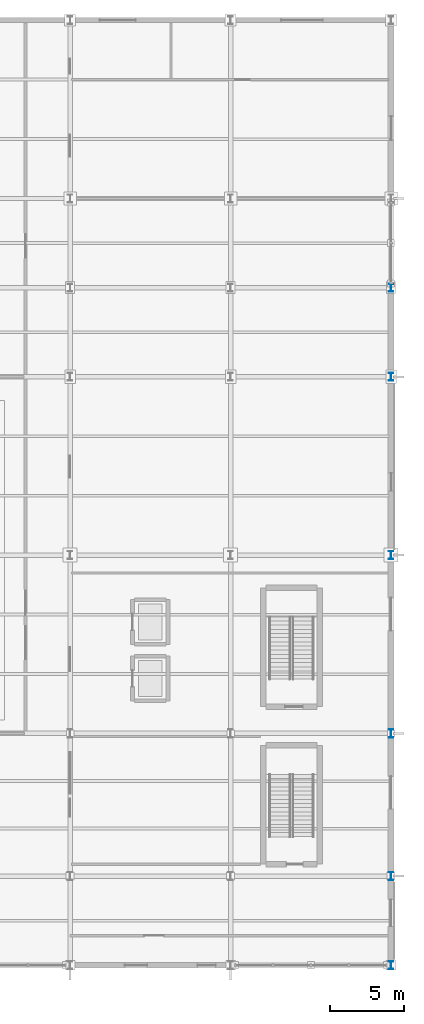
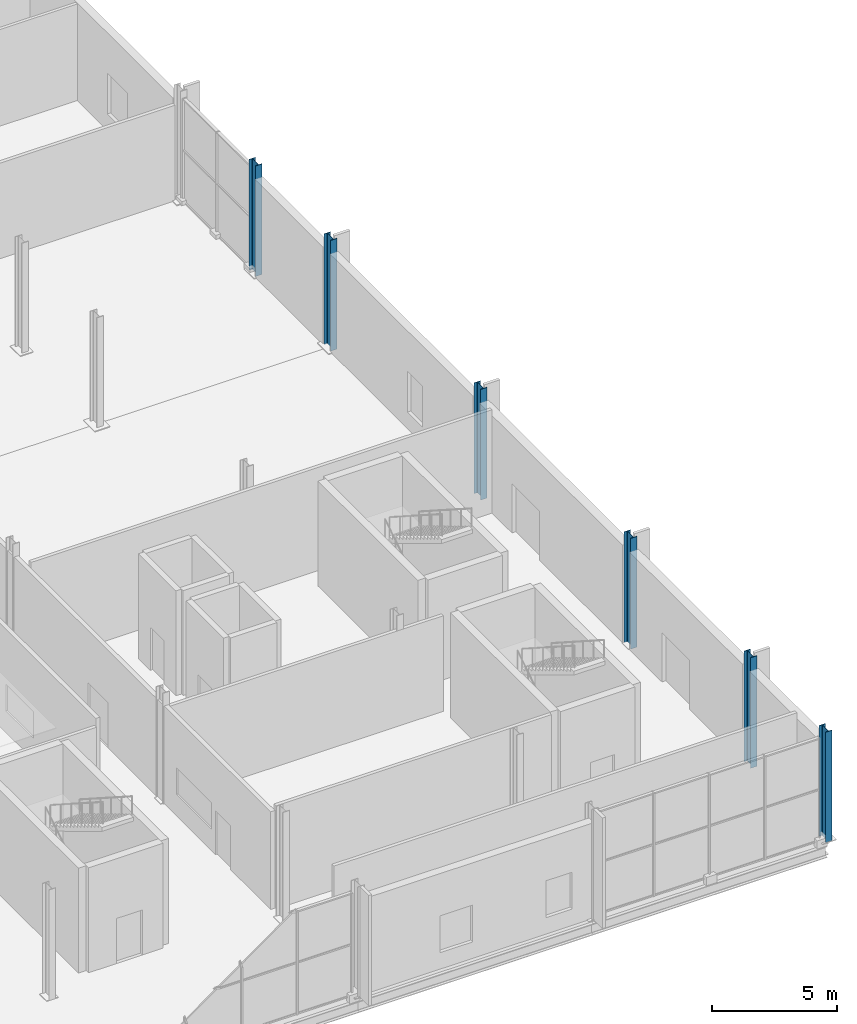
# One storey, part 20 of 196: 6 columns.
"""IFC4 building model written with IfcOpenShell, lengths in metres."""

from ifc_helpers import new_model, si_unit, direction, frame, origin, origin_2d, place, context, subcontext, project, spatial, i_section, extrude, material, material_profile, profile_set, type_object, element, save


model = new_model("IFC4")

# Units and contexts
model_context = context("Model", 3, precision=1e-05, world=origin(), true_north=direction((0.0, 1.0)))
body_context = subcontext(model_context, "Body", "Model", "MODEL_VIEW")
ifc_project = project(units=[si_unit("LENGTHUNIT", "METRE"), si_unit("AREAUNIT", "SQUARE_METRE"), si_unit("VOLUMEUNIT", "CUBIC_METRE"), si_unit("PLANEANGLEUNIT", "RADIAN"), si_unit("MASSUNIT", "GRAM", prefix="KILO")], contexts=[model_context])

# Site, building, storey
site_placement = place(None, origin())
site = spatial("IfcSite", under=ifc_project, at=site_placement, CompositionType="ELEMENT")
building_placement = place(site_placement, origin())
building = spatial("IfcBuilding", under=site, at=building_placement, Name="Merenkruunu Market Hall", CompositionType="ELEMENT")
storey_placement = place(building_placement, origin())
storey = spatial("IfcBuildingStorey", under=building, at=storey_placement, Name="L00", CompositionType="ELEMENT", Elevation=0.0)

# Columns
ifc_material_1 = material(Name="Steel S355ML", Category="steel")
ifc_material_profile_1 = material_profile(ifc_material_1, i_section(OverallWidth=0.300048828125, OverallDepth=0.550048828125, WebThickness=0.014892578125, FlangeThickness=0.029052734375, FilletRadius=0.027099609375, at=origin_2d()), Name="HEB 550")
ifc_profile_set_1 = profile_set([ifc_material_profile_1], Name="Steel S355ML")
column_type_1 = type_object("IfcColumnType", Name="Structural Column C02", PredefinedType="COLUMN", material=ifc_profile_set_1)
for number, where, z_axis, x_axis, name in (
    (1, (192.0, 0.0, 0.0), (0.0, 0.0, 1.0), (1.0, 0.0, 0.0), "COL-L00-U-01"),
    (2, (192.0, 6.0, 0.0), (0.0, 0.0, 1.0), (1.0, 0.0, 0.0), "COL-L00-U-02"),
    (3, (192.0, 15.60009765625, 0.0), (0.0, 0.0, 1.0), (1.0, 0.0, 0.0), "COL-L00-U-03"),
    (4, (192.0, 27.60009765625, 0.0), (0.0, 0.0, 1.0), (1.0, 0.0, 0.0), "COL-L00-U-04"),
    (5, (192.0, 39.60009765625, 0.0), (0.0, 0.0, 1.0), (1.0, 0.0, 0.0), "COL-L00-U-05"),
):
    element("IfcColumn", number, at=place(storey_placement, frame(where, z_axis=z_axis, x_axis=x_axis)), inside=storey, type_object=column_type_1, Name=name, PredefinedType="COLUMN", context=body_context, shape_type="SweptSolid", body=[
        extrude(i_section(OverallWidth=0.300048828125, OverallDepth=0.550048828125, WebThickness=0.014892578125, FlangeThickness=0.029052734375, FilletRadius=0.027099609375, at=origin_2d()), origin(), (0.0, 0.0, 1.0), 5.39990234375),
    ])
ifc_material_2 = material(Name="Steel S355J2", Category="steel")
ifc_material_profile_2 = material_profile(ifc_material_2, i_section(OverallWidth=0.300048828125, OverallDepth=0.5400390625, WebThickness=0.012451171875, FlangeThickness=0.02392578125, FilletRadius=0.027099609375, at=origin_2d()), Name="HEA 550")
ifc_profile_set_2 = profile_set([ifc_material_profile_2], Name="Steel S355J2")
column_type_2 = type_object("IfcColumnType", Name="Structural Column C06", PredefinedType="COLUMN", material=ifc_profile_set_2)
column_placement = place(storey_placement, frame((192.0, 45.60009765625, 0.0), z_axis=(0.0, 0.0, 1.0), x_axis=(1.0, 0.0, 0.0)))
element("IfcColumn", 6, at=column_placement, inside=storey, type_object=column_type_2, Name="COL-L00-U-06", PredefinedType="COLUMN", context=body_context, shape_type="SweptSolid", body=[
    extrude(i_section(OverallWidth=0.300048828125, OverallDepth=0.5400390625, WebThickness=0.012451171875, FlangeThickness=0.02392578125, FilletRadius=0.027099609375, at=origin_2d()), origin(), (0.0, 0.0, 1.0), 5.39990234375),
])

save(model, "model.ifc")
